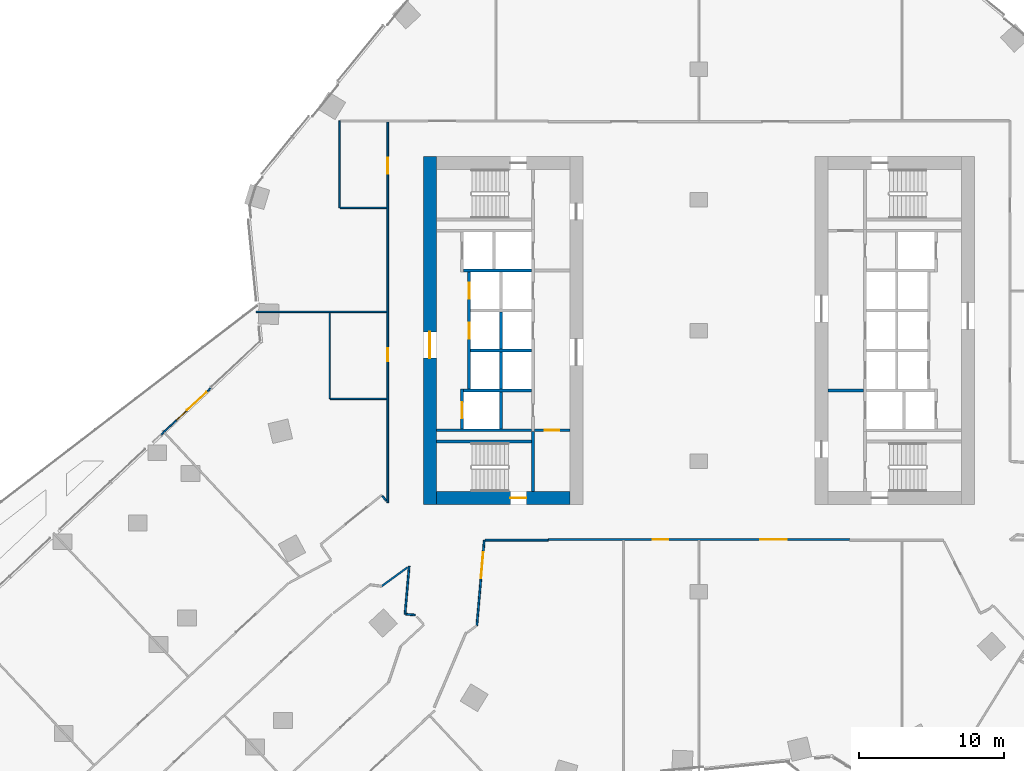
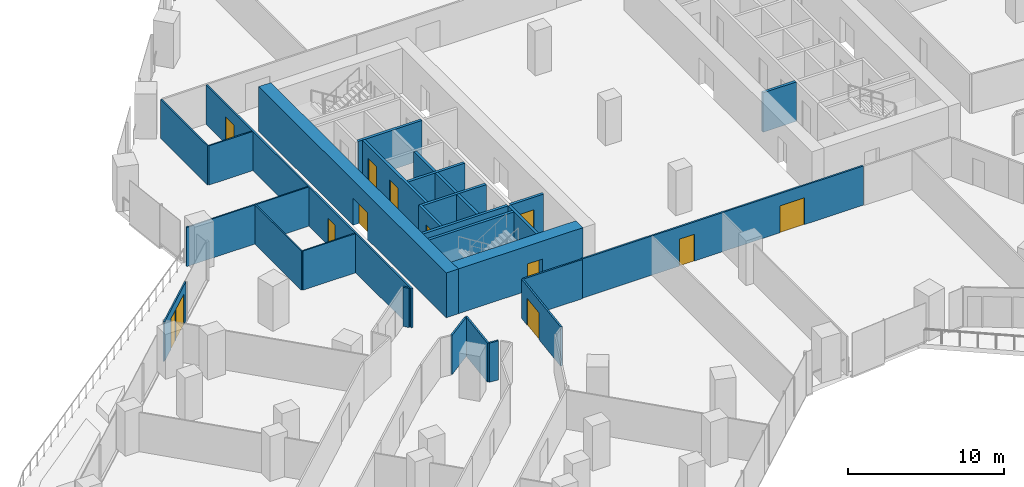
# One storey, part 24 of 34: 29 walls, 12 doors, 1 window, 13 openings.
"""IFC4 building model written with IfcOpenShell, lengths in metres."""

from ifc_helpers import new_model, si_unit, direction, frame, frame_2d, origin, place, context, subcontext, project, spatial, rectangle, extrude, material, layer, layer_set, type_object, element, fill, save


model = new_model("IFC4")

# Units and contexts
model_context = context("Model", 3, precision=1e-05, world=origin(), true_north=direction((0.0, 1.0)))
body_context = subcontext(model_context, "Body", "Model", "MODEL_VIEW")
ifc_project = project(units=[si_unit("LENGTHUNIT", "METRE"), si_unit("AREAUNIT", "SQUARE_METRE"), si_unit("VOLUMEUNIT", "CUBIC_METRE"), si_unit("PLANEANGLEUNIT", "RADIAN"), si_unit("MASSUNIT", "GRAM", prefix="KILO")], contexts=[model_context])

# Site, building, storey
site_placement = place(None, origin())
site = spatial("IfcSite", under=ifc_project, at=site_placement, CompositionType="ELEMENT")
building_placement = place(site_placement, origin())
building = spatial("IfcBuilding", under=site, at=building_placement, Name="Orlundy Tower", CompositionType="ELEMENT")
storey_placement = place(building_placement, frame((0.0, 0.0, 37.300048828125)))
storey = spatial("IfcBuildingStorey", under=building, at=storey_placement, Name="L07", CompositionType="ELEMENT", Elevation=37.300048828125)

# Wall, opening, door
ifc_material_1 = material(Name="Concrete C80/95", Category="concrete")
ifc_layer_1 = layer(ifc_material_1, 0.89990234375)
ifc_layer_set_1 = layer_set([ifc_layer_1], Name="CORE WALL 900 C80/95")
wall_type_1 = type_object("IfcWallType", Name="CORE WALL 900 C80/95", PredefinedType="SHEAR", material=ifc_layer_set_1)
wall_1_placement = place(storey_placement, frame((-18.10009765625, -11.550048828125, 0.0), z_axis=(0.0, 0.0, 1.0), x_axis=(1.0, 0.0, 0.0)))
wall_1 = element("IfcWall", 1, at=wall_1_placement, inside=storey, type_object=wall_type_1, Name="Core wall W-S L07", PredefinedType="SHEAR", context=body_context, shape_type="SweptSolid", body=[
    extrude(rectangle(XDim=9.2001953125, YDim=0.89990234375, at=frame_2d((4.60009765625, 0.0))), origin(), (0.0, 0.0, 1.0), 3.5),
])
opening_1_placement = place(wall_1_placement, frame((5.10009765625, 0.0, 0.0)))
opening_1 = element("IfcOpeningElement", 2, at=opening_1_placement, cuts=wall_1, Name="Opening 08013", PredefinedType="OPENING", context=body_context, shape_type="SweptSolid", body=[
    extrude(rectangle(XDim=1.10009765625, YDim=2.10009765625, at=frame_2d((0.550048828125, 1.050048828125))), frame((0.0, 0.4599609375, 0.0), z_axis=(0.0, -1.0, 0.0), x_axis=(1.0, 0.0, 0.0)), (0.0, 0.0, 1.0), 0.919921875),
])
ifc_material_2 = material(Name="Steel door set", Category="steel")
door_type_1 = type_object("IfcDoorType", Name="Stair Door 1100x2100", OperationType="SINGLE_SWING_LEFT", PredefinedType="DOOR", material=ifc_material_2)
door_1_placement = place(opening_1_placement, origin())
door_1 = element("IfcDoor", 3, at=door_1_placement, inside=storey, type_object=door_type_1, Name="Stair door 08013", OperationType="SINGLE_SWING_RIGHT", OverallHeight=2.10009765625, OverallWidth=1.10009765625, PredefinedType="DOOR", context=body_context, shape_type="SweptSolid", body=[
    extrude(rectangle(XDim=1.10009765625, YDim=2.10009765625, at=frame_2d((0.550048828125, 1.050048828125))), frame((0.0, 0.02490234375, 0.0), z_axis=(0.0, -1.0, 0.0), x_axis=(1.0, 0.0, 0.0)), (0.0, 0.0, 1.0), 0.050048828125),
])
fill(opening_1, door_1)

wall_2_placement = place(storey_placement, frame((-18.550048828125, -12.0, 0.0), z_axis=(0.0, 0.0, 1.0), x_axis=(0.0, 1.0, 0.0)))
wall_2 = element("IfcWall", 4, at=wall_2_placement, inside=storey, type_object=wall_type_1, Name="Core wall W-W L07", PredefinedType="SHEAR", context=body_context, shape_type="SweptSolid", body=[
    extrude(rectangle(XDim=24.0, YDim=0.89990234375, at=frame_2d((12.0, 0.0))), origin(), (0.0, 0.0, 1.0), 3.5),
])
opening_2_placement = place(wall_2_placement, frame((10.10009765625, 0.0, 0.0)))
opening_2 = element("IfcOpeningElement", 5, at=opening_2_placement, cuts=wall_2, Name="Opening 08010", PredefinedType="OPENING", context=body_context, shape_type="SweptSolid", body=[
    extrude(rectangle(XDim=1.800048828125, YDim=2.10009765625, at=frame_2d((0.89990234375, 1.050048828125))), frame((0.0, 0.4599609375, 0.0), z_axis=(0.0, -1.0, 0.0), x_axis=(1.0, 0.0, 0.0)), (0.0, 0.0, 1.0), 0.919921875),
])
ifc_material_3 = material(Name="Timber door set", Category="wood")
door_type_2 = type_object("IfcDoorType", Name="Lobby Door 1800x2100", OperationType="DOUBLE_DOOR_DOUBLE_SWING", PredefinedType="DOOR", material=ifc_material_3)
door_2_placement = place(opening_2_placement, origin())
door_2 = element("IfcDoor", 6, at=door_2_placement, inside=storey, type_object=door_type_2, Name="Lift lobby door 08010", OperationType="SINGLE_SWING_LEFT", OverallHeight=2.10009765625, OverallWidth=1.800048828125, PredefinedType="DOOR", context=body_context, shape_type="SweptSolid", body=[
    extrude(rectangle(XDim=1.800048828125, YDim=2.10009765625, at=frame_2d((0.89990234375, 1.050048828125))), frame((0.0, 0.02490234375, 0.0), z_axis=(0.0, -1.0, 0.0), x_axis=(1.0, 0.0, 0.0)), (0.0, 0.0, 1.0), 0.050048828125),
])
fill(opening_2, door_2)

# Walls
ifc_material_4 = material(Name="Gypsum board partition")
ifc_layer_2 = layer(ifc_material_4, 0.10009765625)
ifc_layer_set_2 = layer_set([ifc_layer_2], Name="Floor partition 100")
wall_type_2 = type_object("IfcWallType", Name="Floor partition 100", PredefinedType="PARTITIONING", material=ifc_layer_set_2)
wall_3_placement = place(storey_placement, frame((-25.39794921875, -4.708984375, 0.0), z_axis=(0.0, 0.0, 1.0), x_axis=(1.0, 0.0, 0.0)))
element("IfcWall", 7, at=wall_3_placement, inside=storey, type_object=wall_type_2, Name="wall-int-L07-056", PredefinedType="PARTITIONING", context=body_context, shape_type="SweptSolid", body=[
    extrude(rectangle(XDim=3.885986328125, YDim=0.10009765625, at=frame_2d((1.94287109375, 0.0))), origin(), (0.0, 0.0, 1.0), 3.06005859375),
])
wall_4_placement = place(storey_placement, frame((-30.527099609375, 1.2900390625, 0.0), z_axis=(0.0, 0.0, 1.0), x_axis=(1.0, 0.0, 0.0)))
element("IfcWall", 8, at=wall_4_placement, inside=storey, type_object=wall_type_2, Name="wall-int-L07-057", PredefinedType="PARTITIONING", context=body_context, shape_type="SweptSolid", body=[
    extrude(rectangle(XDim=9.01513671875, YDim=0.10009765625, at=frame_2d((4.507568359375, 0.0))), origin(), (0.0, 0.0, 1.0), 3.06005859375),
])
wall_5_placement = place(storey_placement, frame((-24.73193359375, 8.448974609375, 0.0), z_axis=(0.0, 0.0, 1.0), x_axis=(1.0, 0.0, 0.0)))
element("IfcWall", 9, at=wall_5_placement, inside=storey, type_object=wall_type_2, Name="wall-int-L07-059", PredefinedType="PARTITIONING", context=body_context, shape_type="SweptSolid", body=[
    extrude(rectangle(XDim=3.219970703125, YDim=0.10009765625, at=frame_2d((1.60986328125, 0.0))), origin(), (0.0, 0.0, 1.0), 3.06005859375),
])
wall_6_placement = place(storey_placement, frame((-24.781982421875, 8.448974609375, 0.0), z_axis=(0.0, 0.0, 1.0), x_axis=(0.0, 1.0, 0.0)))
element("IfcWall", 10, at=wall_6_placement, inside=storey, type_object=wall_type_2, Name="wall-int-L07-122", PredefinedType="PARTITIONING", context=body_context, shape_type="SweptSolid", body=[
    extrude(rectangle(XDim=6.0, YDim=0.10009765625, at=frame_2d((3.0, 0.0))), origin(), (0.0, 0.0, 1.0), 3.06005859375),
])
wall_7_placement = place(storey_placement, frame((-25.447998046875, -4.708984375, 0.0), z_axis=(0.0, 0.0, 1.0), x_axis=(0.0, 1.0, 0.0)))
element("IfcWall", 11, at=wall_7_placement, inside=storey, type_object=wall_type_2, Name="wall-int-L07-123", PredefinedType="PARTITIONING", context=body_context, shape_type="SweptSolid", body=[
    extrude(rectangle(XDim=5.948974609375, YDim=0.10009765625, at=frame_2d((2.974609375, 0.0))), origin(), (0.0, 0.0, 1.0), 3.06005859375),
])
ifc_material_5 = material(Name="Gypsum board partition, double layer")
ifc_layer_3 = layer(ifc_material_5, 0.125)
ifc_layer_set_3 = layer_set([ifc_layer_3], Name="Floor partition 125")
wall_type_3 = type_object("IfcWallType", Name="Floor partition 125", PredefinedType="PARTITIONING", material=ifc_layer_set_3)
wall_8_placement = place(storey_placement, frame((-21.827880859375, -11.40087890625, 0.0), z_axis=(0.0, 0.0, 1.0), x_axis=(0.628685146217, -0.777659942987, 0.0)))
element("IfcWall", 12, at=wall_8_placement, inside=storey, type_object=wall_type_3, Name="wall-int-L07-008", PredefinedType="PARTITIONING", context=body_context, shape_type="SweptSolid", body=[
    extrude(rectangle(XDim=0.424560546875, YDim=0.125, at=frame_2d((0.21240234375, 0.0))), origin(), (0.0, 0.0, 1.0), 3.06005859375),
])
wall_9_placement = place(storey_placement, frame((-20.197021484375, -19.556884765625, 0.0), z_axis=(0.0, 0.0, 1.0), x_axis=(0.99624633496, -0.086563503153, 0.0)))
element("IfcWall", 13, at=wall_9_placement, inside=storey, type_object=wall_type_3, Name="wall-int-L07-040", PredefinedType="PARTITIONING", context=body_context, shape_type="SweptSolid", body=[
    extrude(rectangle(XDim=0.637451171875, YDim=0.125, at=frame_2d((0.31884765625, 0.0))), origin(), (0.0, 0.0, 1.0), 3.06005859375),
])
wall_10_placement = place(storey_placement, frame((-14.736083984375, -14.450927734375, 0.0), z_axis=(0.0, 0.0, 1.0), x_axis=(1.0, 0.0, 0.0)))
element("IfcWall", 14, at=wall_10_placement, inside=storey, type_object=wall_type_3, Name="wall-int-L07-051", PredefinedType="PARTITIONING", context=body_context, shape_type="SweptSolid", body=[
    extrude(rectangle(XDim=4.344970703125, YDim=0.125, at=frame_2d((2.17236328125, 0.0))), origin(), (0.0, 0.0, 1.0), 3.06005859375),
])

# Wall, openings, doors
wall_11_placement = place(storey_placement, frame((10.39111328125, -14.40087890625, 0.0), z_axis=(0.0, 0.0, 1.0), x_axis=(-1.0, 0.0, 0.0)))
wall_11 = element("IfcWall", 15, at=wall_11_placement, inside=storey, type_object=wall_type_3, Name="wall-int-L07-054", PredefinedType="PARTITIONING", context=body_context, shape_type="SweptSolid", body=[
    extrude(rectangle(XDim=20.781005859375, YDim=0.125, at=frame_2d((10.390625, 0.0))), origin(), (0.0, 0.0, 1.0), 3.06005859375),
])
opening_3_placement = place(wall_11_placement, frame((12.490966796875, 0.0, 0.0)))
opening_3 = element("IfcOpeningElement", 16, at=opening_3_placement, cuts=wall_11, Name="Opening 08124", PredefinedType="OPENING", context=body_context, shape_type="SweptSolid", body=[
    extrude(rectangle(XDim=1.10009765625, YDim=2.10009765625, at=frame_2d((0.550048828125, 1.050048828125))), frame((0.0, 0.072509765625, 0.0), z_axis=(0.0, -1.0, 0.0), x_axis=(1.0, 0.0, 0.0)), (0.0, 0.0, 1.0), 0.14501953125),
])
opening_4_placement = place(wall_11_placement, frame((4.35009765625, 0.0, 0.0)))
opening_4 = element("IfcOpeningElement", 17, at=opening_4_placement, cuts=wall_11, Name="Opening 08125", PredefinedType="OPENING", context=body_context, shape_type="SweptSolid", body=[
    extrude(rectangle(XDim=1.800048828125, YDim=2.10009765625, at=frame_2d((0.89990234375, 1.050048828125))), frame((0.0, 0.072509765625, 0.0), z_axis=(0.0, -1.0, 0.0), x_axis=(1.0, 0.0, 0.0)), (0.0, 0.0, 1.0), 0.14501953125),
])
ifc_material_6 = material(Name="Timber door leaf", Category="wood")
door_type_3 = type_object("IfcDoorType", Name="Floor door double 1800 FD30S", OperationType="NOTDEFINED", PredefinedType="DOOR", material=ifc_material_6)
door_3_placement = place(opening_4_placement, origin())
door_3 = element("IfcDoor", 18, at=door_3_placement, inside=storey, type_object=door_type_3, Name="Door 08125", OperationType="DOUBLE_DOOR_SINGLE_SWING", OverallHeight=2.10009765625, OverallWidth=1.800048828125, PredefinedType="DOOR", context=body_context, shape_type="SweptSolid", body=[
    extrude(rectangle(XDim=1.800048828125, YDim=2.10009765625, at=frame_2d((0.89990234375, 1.050048828125))), frame((0.0, 0.02490234375, 0.0), z_axis=(0.0, -1.0, 0.0), x_axis=(1.0, 0.0, 0.0)), (0.0, 0.0, 1.0), 0.050048828125),
])
fill(opening_4, door_3)
ifc_material_7 = material(Name="Timber door leaf", Category="wood")
door_type_4 = type_object("IfcDoorType", Name="Floor door xwide 1100 FD30S", OperationType="NOTDEFINED", PredefinedType="DOOR", material=ifc_material_7)
door_4_placement = place(opening_3_placement, origin())
door_4 = element("IfcDoor", 19, at=door_4_placement, inside=storey, type_object=door_type_4, Name="Door 08124", OperationType="SINGLE_SWING_RIGHT", OverallHeight=2.10009765625, OverallWidth=1.10009765625, PredefinedType="DOOR", context=body_context, shape_type="SweptSolid", body=[
    extrude(rectangle(XDim=1.10009765625, YDim=2.10009765625, at=frame_2d((0.550048828125, 1.050048828125))), frame((0.0, 0.02490234375, 0.0), z_axis=(0.0, -1.0, 0.0), x_axis=(1.0, 0.0, 0.0)), (0.0, 0.0, 1.0), 0.050048828125),
])
fill(opening_3, door_4)

# Wall
wall_12_placement = place(storey_placement, frame((-20.0849609375, -16.325927734375, 0.0), z_axis=(0.0, 0.0, 1.0), x_axis=(-0.80897376901, -0.587844742304, 0.0)))
element("IfcWall", 20, at=wall_12_placement, inside=storey, type_object=wall_type_3, Name="wall-int-L07-069", PredefinedType="PARTITIONING", context=body_context, shape_type="SweptSolid", body=[
    extrude(rectangle(XDim=2.22021484375, YDim=0.125, at=frame_2d((1.110107421875, 0.0))), origin(), (0.0, 0.0, 1.0), 3.06005859375),
])

# Wall, opening, door
wall_13_placement = place(storey_placement, frame((-14.798095703125, -14.450927734375, 0.0), z_axis=(0.0, 0.0, 1.0), x_axis=(-0.086395823817, -0.996260890343, 0.0)))
wall_13 = element("IfcWall", 21, at=wall_13_placement, inside=storey, type_object=wall_type_3, Name="wall-int-L07-104", PredefinedType="PARTITIONING", context=body_context, shape_type="SweptSolid", body=[
    extrude(rectangle(XDim=5.903076171875, YDim=0.125, at=frame_2d((2.95166015625, 0.0))), origin(), (0.0, 0.0, 1.0), 3.06005859375),
])
opening_5_placement = place(wall_13_placement, frame((0.849609375, 0.0, 0.0)))
opening_5 = element("IfcOpeningElement", 22, at=opening_5_placement, cuts=wall_13, Name="Opening 08123", PredefinedType="OPENING", context=body_context, shape_type="SweptSolid", body=[
    extrude(rectangle(XDim=1.800048828125, YDim=2.10009765625, at=frame_2d((0.89990234375, 1.050048828125))), frame((0.0, 0.072509765625, 0.0), z_axis=(0.0, -1.0, 0.0), x_axis=(1.0, 0.0, 0.0)), (0.0, 0.0, 1.0), 0.14501953125),
])
door_5_placement = place(opening_5_placement, origin())
door_5 = element("IfcDoor", 23, at=door_5_placement, inside=storey, type_object=door_type_3, Name="Door 08123", OperationType="DOUBLE_DOOR_SINGLE_SWING", OverallHeight=2.10009765625, OverallWidth=1.800048828125, PredefinedType="DOOR", context=body_context, shape_type="SweptSolid", body=[
    extrude(rectangle(XDim=1.800048828125, YDim=2.10009765625, at=frame_2d((0.89990234375, 1.050048828125))), frame((0.0, 0.02490234375, 0.0), z_axis=(0.0, -1.0, 0.0), x_axis=(1.0, 0.0, 0.0)), (0.0, 0.0, 1.0), 0.050048828125),
])
fill(opening_5, door_5)

# Wall
wall_14_placement = place(storey_placement, frame((-20.260009765625, -19.551025390625, 0.0), z_axis=(0.0, 0.0, 1.0), x_axis=(0.086384498526, 0.996261872408, 0.0)))
element("IfcWall", 24, at=wall_14_placement, inside=storey, type_object=wall_type_3, Name="wall-int-L07-105", PredefinedType="PARTITIONING", context=body_context, shape_type="SweptSolid", body=[
    extrude(rectangle(XDim=3.3095703125, YDim=0.125, at=frame_2d((1.65478515625, 0.0))), origin(), (0.0, 0.0, 1.0), 3.06005859375),
])

# Wall, openings, doors
wall_15_placement = place(storey_placement, frame((-21.449951171875, -11.868896484375, 0.0), z_axis=(0.0, 0.0, 1.0), x_axis=(0.0, 1.0, 0.0)))
wall_15 = element("IfcWall", 25, at=wall_15_placement, inside=storey, type_object=wall_type_3, Name="wall-int-L07-121", PredefinedType="PARTITIONING", context=body_context, shape_type="SweptSolid", body=[
    extrude(rectangle(XDim=26.2548828125, YDim=0.125, at=frame_2d((13.12744140625, 0.0))), origin(), (0.0, 0.0, 1.0), 3.06005859375),
])
opening_6_placement = place(wall_15_placement, frame((9.760009765625, 0.0, 0.0)))
opening_6 = element("IfcOpeningElement", 26, at=opening_6_placement, cuts=wall_15, Name="Opening 08132", PredefinedType="OPENING", context=body_context, shape_type="SweptSolid", body=[
    extrude(rectangle(XDim=0.89990234375, YDim=2.10009765625, at=frame_2d((0.449951171875, 1.050048828125))), frame((0.0, 0.072509765625, 0.0), z_axis=(0.0, -1.0, 0.0), x_axis=(1.0, 0.0, 0.0)), (0.0, 0.0, 1.0), 0.14501953125),
])
opening_7_placement = place(wall_15_placement, frame((22.66796875, 0.0, 0.0)))
opening_7 = element("IfcOpeningElement", 27, at=opening_7_placement, cuts=wall_15, Name="Opening 08133", PredefinedType="OPENING", context=body_context, shape_type="SweptSolid", body=[
    extrude(rectangle(XDim=1.10009765625, YDim=2.10009765625, at=frame_2d((0.550048828125, 1.050048828125))), frame((0.0, 0.072509765625, 0.0), z_axis=(0.0, -1.0, 0.0), x_axis=(1.0, 0.0, 0.0)), (0.0, 0.0, 1.0), 0.14501953125),
])
ifc_material_8 = material(Name="Timber door leaf", Category="wood")
door_type_5 = type_object("IfcDoorType", Name="Floor door single 900 FD30S", OperationType="NOTDEFINED", PredefinedType="DOOR", material=ifc_material_8)
door_6_placement = place(opening_6_placement, origin())
door_6 = element("IfcDoor", 28, at=door_6_placement, inside=storey, type_object=door_type_5, Name="Door 08132", OperationType="SINGLE_SWING_LEFT", OverallHeight=2.10009765625, OverallWidth=0.89990234375, PredefinedType="DOOR", context=body_context, shape_type="SweptSolid", body=[
    extrude(rectangle(XDim=0.89990234375, YDim=2.10009765625, at=frame_2d((0.449951171875, 1.050048828125))), frame((0.0, 0.02490234375, 0.0), z_axis=(0.0, -1.0, 0.0), x_axis=(1.0, 0.0, 0.0)), (0.0, 0.0, 1.0), 0.050048828125),
])
fill(opening_6, door_6)
door_7_placement = place(opening_7_placement, origin())
door_7 = element("IfcDoor", 29, at=door_7_placement, inside=storey, type_object=door_type_4, Name="Door 08133", OperationType="SINGLE_SWING_RIGHT", OverallHeight=2.10009765625, OverallWidth=1.10009765625, PredefinedType="DOOR", context=body_context, shape_type="SweptSolid", body=[
    extrude(rectangle(XDim=1.10009765625, YDim=2.10009765625, at=frame_2d((0.550048828125, 1.050048828125))), frame((0.0, 0.02490234375, 0.0), z_axis=(0.0, -1.0, 0.0), x_axis=(1.0, 0.0, 0.0)), (0.0, 0.0, 1.0), 0.050048828125),
])
fill(opening_7, door_7)

# Wall, openings, window, door
ifc_material_9 = material(Name="Aluminium bronze and tinted glass", Category="aluminium")
ifc_layer_4 = layer(ifc_material_9, 0.10009765625)
ifc_layer_set_4 = layer_set([ifc_layer_4], Name="Glazed door screen")
wall_type_4 = type_object("IfcWallType", Name="Glazed door screen", PredefinedType="STANDARD", material=ifc_layer_set_4)
wall_16_placement = place(storey_placement, frame((-37.077392578125, -7.177734375, 0.0), z_axis=(0.0, 0.0, 1.0), x_axis=(0.729367283299, 0.684122332667, 0.0)))
wall_16 = element("IfcWall", 30, at=wall_16_placement, inside=storey, type_object=wall_type_4, Name="Glazed door screen", PredefinedType="STANDARD", context=body_context, shape_type="SweptSolid", body=[
    extrude(rectangle(XDim=4.705322265625, YDim=0.10009765625, at=frame_2d((2.3525390625, 0.0))), origin(), (0.0, 0.0, 1.0), 3.079833984375),
])
opening_8_placement = place(wall_16_placement, frame((2.4716796875, 0.0, 0.0)))
opening_8 = element("IfcOpeningElement", 31, at=opening_8_placement, cuts=wall_16, Name="Opening 08940", PredefinedType="OPENING", context=body_context, shape_type="SweptSolid", body=[
    extrude(rectangle(XDim=1.800048828125, YDim=2.39990234375, at=frame_2d((0.89990234375, 1.199951171875))), frame((0.0, 0.06005859375, 0.0), z_axis=(0.0, -1.0, 0.0), x_axis=(1.0, 0.0, 0.0)), (0.0, 0.0, 1.0), 0.1201171875),
])
opening_9_placement = place(wall_16_placement, frame((1.4716796875, 0.0, 0.0)))
opening_9 = element("IfcOpeningElement", 32, at=opening_9_placement, cuts=wall_16, Name="Opening W02", PredefinedType="OPENING", context=body_context, shape_type="SweptSolid", body=[
    extrude(rectangle(XDim=0.89990234375, YDim=2.39990234375, at=frame_2d((0.449951171875, 1.199951171875))), frame((0.0, 0.06005859375, 0.0), z_axis=(0.0, -1.0, 0.0), x_axis=(1.0, 0.0, 0.0)), (0.0, 0.0, 1.0), 0.1201171875),
])
ifc_material_10 = material(Name="Tinted glass in bronze aluminium frame", Category="aluminium")
window_type = type_object("IfcWindowType", Name="SL2 sidelight 900x2400", PartitioningType="SINGLE_PANEL", PredefinedType="WINDOW", material=ifc_material_10)
window_placement = place(opening_9_placement, origin())
window = element("IfcWindow", 33, at=window_placement, inside=storey, type_object=window_type, Name="Window W02 L07", OverallHeight=2.39990234375, OverallWidth=0.89990234375, PartitioningType="SINGLE_PANEL", PredefinedType="WINDOW", context=body_context, shape_type="SweptSolid", body=[
    extrude(rectangle(XDim=0.89990234375, YDim=2.39990234375, at=frame_2d((0.449951171875, 1.199951171875))), frame((0.0, 0.030029296875, 0.0), z_axis=(0.0, -1.0, 0.0), x_axis=(1.0, 0.0, 0.0)), (0.0, 0.0, 1.0), 0.06005859375),
])
fill(opening_9, window)
ifc_material_11 = material(Name="Aluminium bronze and tinted glass", Category="aluminium")
door_type_6 = type_object("IfcDoorType", Name="TD1 terrace door 1800x2400", OperationType="NOTDEFINED", PredefinedType="DOOR", material=ifc_material_11)
door_8_placement = place(opening_8_placement, origin())
door_8 = element("IfcDoor", 34, at=door_8_placement, inside=storey, type_object=door_type_6, Name="Door 08940", OperationType="DOUBLE_DOOR_SINGLE_SWING", OverallHeight=2.39990234375, OverallWidth=1.800048828125, PredefinedType="DOOR", context=body_context, shape_type="SweptSolid", body=[
    extrude(rectangle(XDim=1.800048828125, YDim=2.39990234375, at=frame_2d((0.89990234375, 1.199951171875))), frame((0.0, 0.02490234375, 0.0), z_axis=(0.0, -1.0, 0.0), x_axis=(1.0, 0.0, 0.0)), (0.0, 0.0, 1.0), 0.050048828125),
])
fill(opening_8, door_8)

# Walls
ifc_material_12 = material(Name="Concrete C40/50", Category="concrete")
ifc_layer_5 = layer(ifc_material_12, 0.199951171875)
ifc_layer_set_5 = layer_set([ifc_layer_5], Name="Load-bearing Shaft Wall 200")
wall_type_5 = type_object("IfcWallType", Name="Load-bearing Shaft Wall 200", PredefinedType="SOLIDWALL", material=ifc_layer_set_5)
wall_17_placement = place(storey_placement, frame((-11.43994140625, -11.10009765625, 0.0), z_axis=(0.0, 0.0, 1.0), x_axis=(0.0, 1.0, 0.0)))
element("IfcWall", 35, at=wall_17_placement, inside=storey, type_object=wall_type_5, Name="Shaft wall W08-stair-end-s", PredefinedType="SOLIDWALL", context=body_context, shape_type="SweptSolid", body=[
    extrude(rectangle(XDim=4.125, YDim=0.199951171875, at=frame_2d((2.0625, 0.0))), origin(), (0.0, 0.0, 1.0), 3.079833984375),
])
wall_18_placement = place(storey_placement, frame((-11.5400390625, -7.64990234375, 0.0), z_axis=(0.0, 0.0, 1.0), x_axis=(-1.0, 0.0, 0.0)))
element("IfcWall", 36, at=wall_18_placement, inside=storey, type_object=wall_type_5, Name="Shaft wall W08-stair-side-s", PredefinedType="SOLIDWALL", context=body_context, shape_type="SweptSolid", body=[
    extrude(rectangle(XDim=6.56005859375, YDim=0.199951171875, at=frame_2d((3.280029296875, 0.0))), origin(), (0.0, 0.0, 1.0), 3.079833984375),
])

# Wall, opening, door
ifc_material_13 = material(Name="Gypsum board partition on steel studs", Category="steel")
ifc_layer_6 = layer(ifc_material_13, 0.199951171875)
ifc_layer_set_6 = layer_set([ifc_layer_6], Name="Partition 200")
wall_type_6 = type_object("IfcWallType", Name="Partition 200", PredefinedType="PARTITIONING", material=ifc_layer_set_6)
wall_19_placement = place(storey_placement, frame((-8.89990234375, -6.875, 0.0), z_axis=(0.0, 0.0, 1.0), x_axis=(-1.0, 0.0, 0.0)))
wall_19 = element("IfcWall", 37, at=wall_19_placement, inside=storey, type_object=wall_type_6, Name="Partition wall W08-end-s", PredefinedType="PARTITIONING", context=body_context, shape_type="SweptSolid", body=[
    extrude(rectangle(XDim=2.440185546875, YDim=0.199951171875, at=frame_2d((1.22021484375, 0.0))), origin(), (0.0, 0.0, 1.0), 3.079833984375),
])
opening_10_placement = place(wall_19_placement, frame((0.719970703125, 0.0, 0.0)))
opening_10 = element("IfcOpeningElement", 38, at=opening_10_placement, cuts=wall_19, Name="Opening 08015", PredefinedType="OPENING", context=body_context, shape_type="SweptSolid", body=[
    extrude(rectangle(XDim=1.0, YDim=2.10009765625, at=frame_2d((0.5, 1.050048828125))), frame((0.0, 0.110107421875, 0.0), z_axis=(0.0, -1.0, 0.0), x_axis=(1.0, 0.0, 0.0)), (0.0, 0.0, 1.0), 0.22021484375),
])
ifc_material_14 = material(Name="Timber door set", Category="wood")
door_type_7 = type_object("IfcDoorType", Name="Accessible Door 1000x2100", OperationType="SINGLE_SWING_LEFT", PredefinedType="DOOR", material=ifc_material_14)
door_9_placement = place(opening_10_placement, origin())
door_9 = element("IfcDoor", 39, at=door_9_placement, inside=storey, type_object=door_type_7, Name="Accessible WC door 08015", OperationType="SINGLE_SWING_RIGHT", OverallHeight=2.10009765625, OverallWidth=1.0, PredefinedType="DOOR", context=body_context, shape_type="SweptSolid", body=[
    extrude(rectangle(XDim=1.0, YDim=2.10009765625, at=frame_2d((0.5, 1.050048828125))), frame((0.0, 0.02490234375, 0.0), z_axis=(0.0, -1.0, 0.0), x_axis=(1.0, 0.0, 0.0)), (0.0, 0.0, 1.0), 0.050048828125),
])
fill(opening_10, door_9)

# Walls
wall_20_placement = place(storey_placement, frame((8.89990234375, -4.125, 0.0), z_axis=(0.0, 0.0, 1.0), x_axis=(1.0, 0.0, 0.0)))
element("IfcWall", 40, at=wall_20_placement, inside=storey, type_object=wall_type_6, Name="Partition wall E08-lobby-n", PredefinedType="PARTITIONING", context=body_context, shape_type="SweptSolid", body=[
    extrude(rectangle(XDim=2.440185546875, YDim=0.199951171875, at=frame_2d((1.22021484375, 0.0))), origin(), (0.0, 0.0, 1.0), 3.079833984375),
])
ifc_material_15 = material(Name="Fire-rated blockwork shaft wall", Category="masonry")
ifc_layer_7 = layer(ifc_material_15, 0.199951171875)
ifc_layer_set_7 = layer_set([ifc_layer_7], Name="Shaft Wall 200")
wall_type_7 = type_object("IfcWallType", Name="Shaft Wall 200", PredefinedType="SOLIDWALL", material=ifc_layer_set_7)
wall_21_placement = place(storey_placement, frame((-11.5400390625, -6.875, 0.0), z_axis=(0.0, 0.0, 1.0), x_axis=(-1.0, 0.0, 0.0)))
element("IfcWall", 41, at=wall_21_placement, inside=storey, type_object=wall_type_7, Name="Shaft wall W08-zone-s", PredefinedType="SOLIDWALL", context=body_context, shape_type="SweptSolid", body=[
    extrude(rectangle(XDim=6.56005859375, YDim=0.199951171875, at=frame_2d((3.280029296875, 0.0))), origin(), (0.0, 0.0, 1.0), 3.079833984375),
])
wall_22_placement = place(storey_placement, frame((-11.5400390625, -4.125, 0.0), z_axis=(0.0, 0.0, 1.0), x_axis=(-1.0, 0.0, 0.0)))
element("IfcWall", 42, at=wall_22_placement, inside=storey, type_object=wall_type_7, Name="Shaft wall W08-cross-4.125", PredefinedType="SOLIDWALL", context=body_context, shape_type="SweptSolid", body=[
    extrude(rectangle(XDim=4.699951171875, YDim=0.199951171875, at=frame_2d((2.35009765625, 0.0))), origin(), (0.0, 0.0, 1.0), 3.079833984375),
])
wall_23_placement = place(storey_placement, frame((-11.5400390625, -1.375, 0.0), z_axis=(0.0, 0.0, 1.0), x_axis=(-1.0, 0.0, 0.0)))
element("IfcWall", 43, at=wall_23_placement, inside=storey, type_object=wall_type_7, Name="Shaft wall W08-cross-1.375", PredefinedType="SOLIDWALL", context=body_context, shape_type="SweptSolid", body=[
    extrude(rectangle(XDim=4.199951171875, YDim=0.199951171875, at=frame_2d((2.10009765625, 0.0))), origin(), (0.0, 0.0, 1.0), 3.079833984375),
])
wall_24_placement = place(storey_placement, frame((-11.5400390625, 4.125, 0.0), z_axis=(0.0, 0.0, 1.0), x_axis=(-1.0, 0.0, 0.0)))
element("IfcWall", 44, at=wall_24_placement, inside=storey, type_object=wall_type_7, Name="Shaft wall W08-cross+4.125", PredefinedType="SOLIDWALL", context=body_context, shape_type="SweptSolid", body=[
    extrude(rectangle(XDim=4.699951171875, YDim=0.199951171875, at=frame_2d((2.35009765625, 0.0))), origin(), (0.0, 0.0, 1.0), 3.079833984375),
])
for number, where, z_axis, x_axis, name in (
    (45, (-13.639892578125, -6.77490234375, 0.0), (0.0, 0.0, 1.0), (0.0, 1.0, 0.0), "Shaft wall W08-mid-a"),
    (46, (-13.639892578125, -4.02490234375, 0.0), (0.0, 0.0, 1.0), (0.0, 1.0, 0.0), "Shaft wall W08-mid-a.1"),
    (47, (-13.639892578125, -1.27490234375, 0.0), (0.0, 0.0, 1.0), (0.0, 1.0, 0.0), "Shaft wall W08-mid-a.2"),
):
    element("IfcWall", number, at=place(storey_placement, frame(where, z_axis=z_axis, x_axis=x_axis)), inside=storey, type_object=wall_type_7, Name=name, PredefinedType="SOLIDWALL", context=body_context, shape_type="SweptSolid", body=[
        extrude(rectangle(XDim=2.5498046875, YDim=0.199951171875, at=frame_2d((1.27490234375, 0.0))), origin(), (0.0, 0.0, 1.0), 3.079833984375),
    ])

# Wall, opening, door
wall_25_placement = place(storey_placement, frame((-16.340087890625, -6.77490234375, 0.0), z_axis=(0.0, 0.0, 1.0), x_axis=(0.0, 1.0, 0.0)))
wall_25 = element("IfcWall", 48, at=wall_25_placement, inside=storey, type_object=wall_type_7, Name="Shaft wall W08-front-o-a", PredefinedType="SOLIDWALL", context=body_context, shape_type="SweptSolid", body=[
    extrude(rectangle(XDim=2.75, YDim=0.199951171875, at=frame_2d((1.375, 0.0))), origin(), (0.0, 0.0, 1.0), 3.079833984375),
])
opening_11_placement = place(wall_25_placement, frame((0.72509765625, 0.0, 0.0)))
opening_11 = element("IfcOpeningElement", 49, at=opening_11_placement, cuts=wall_25, Name="Opening 08001", PredefinedType="OPENING", context=body_context, shape_type="SweptSolid", body=[
    extrude(rectangle(XDim=1.10009765625, YDim=2.10009765625, at=frame_2d((0.550048828125, 1.050048828125))), frame((0.0, 0.110107421875, 0.0), z_axis=(0.0, -1.0, 0.0), x_axis=(1.0, 0.0, 0.0)), (0.0, 0.0, 1.0), 0.22021484375),
])
ifc_material_16 = material(Name="Steel door set", Category="steel")
door_type_8 = type_object("IfcDoorType", Name="Landing Door 1100x2100", OperationType="DOUBLE_DOOR_SLIDING", PredefinedType="DOOR", material=ifc_material_16)
door_10_placement = place(opening_11_placement, origin())
door_10 = element("IfcDoor", 50, at=door_10_placement, inside=storey, type_object=door_type_8, Name="Lift landing door LV-01 08001", OperationType="DOUBLE_DOOR_SLIDING", OverallHeight=2.10009765625, OverallWidth=1.10009765625, PredefinedType="DOOR", context=body_context, shape_type="SweptSolid", body=[
    extrude(rectangle(XDim=1.10009765625, YDim=2.10009765625, at=frame_2d((0.550048828125, 1.050048828125))), frame((0.0, 0.02490234375, 0.0), z_axis=(0.0, -1.0, 0.0), x_axis=(1.0, 0.0, 0.0)), (0.0, 0.0, 1.0), 0.050048828125),
])
fill(opening_11, door_10)

# Wall, openings, doors
wall_26_placement = place(storey_placement, frame((-15.840087890625, -4.02490234375, 0.0), z_axis=(0.0, 0.0, 1.0), x_axis=(0.0, 1.0, 0.0)))
wall_26 = element("IfcWall", 51, at=wall_26_placement, inside=storey, type_object=wall_type_7, Name="Shaft wall W08-front-o-b", PredefinedType="SOLIDWALL", context=body_context, shape_type="SweptSolid", body=[
    extrude(rectangle(XDim=8.0498046875, YDim=0.199951171875, at=frame_2d((4.02490234375, 0.0))), origin(), (0.0, 0.0, 1.0), 3.079833984375),
])
opening_12_placement = place(wall_26_placement, frame((3.47509765625, 0.0, 0.0)))
opening_12 = element("IfcOpeningElement", 52, at=opening_12_placement, cuts=wall_26, Name="Opening 08003", PredefinedType="OPENING", context=body_context, shape_type="SweptSolid", body=[
    extrude(rectangle(XDim=1.10009765625, YDim=2.10009765625, at=frame_2d((0.550048828125, 1.050048828125))), frame((0.0, 0.110107421875, 0.0), z_axis=(0.0, -1.0, 0.0), x_axis=(1.0, 0.0, 0.0)), (0.0, 0.0, 1.0), 0.22021484375),
])
opening_13_placement = place(wall_26_placement, frame((6.22509765625, 0.0, 0.0)))
opening_13 = element("IfcOpeningElement", 53, at=opening_13_placement, cuts=wall_26, Name="Opening 08005", PredefinedType="OPENING", context=body_context, shape_type="SweptSolid", body=[
    extrude(rectangle(XDim=1.10009765625, YDim=2.10009765625, at=frame_2d((0.550048828125, 1.050048828125))), frame((0.0, 0.110107421875, 0.0), z_axis=(0.0, -1.0, 0.0), x_axis=(1.0, 0.0, 0.0)), (0.0, 0.0, 1.0), 0.22021484375),
])
door_11_placement = place(opening_12_placement, origin())
door_11 = element("IfcDoor", 54, at=door_11_placement, inside=storey, type_object=door_type_8, Name="Lift landing door LP-01 08003", OperationType="DOUBLE_DOOR_SLIDING", OverallHeight=2.10009765625, OverallWidth=1.10009765625, PredefinedType="DOOR", context=body_context, shape_type="SweptSolid", body=[
    extrude(rectangle(XDim=1.10009765625, YDim=2.10009765625, at=frame_2d((0.550048828125, 1.050048828125))), frame((0.0, 0.02490234375, 0.0), z_axis=(0.0, -1.0, 0.0), x_axis=(1.0, 0.0, 0.0)), (0.0, 0.0, 1.0), 0.050048828125),
])
fill(opening_12, door_11)
door_12_placement = place(opening_13_placement, origin())
door_12 = element("IfcDoor", 55, at=door_12_placement, inside=storey, type_object=door_type_8, Name="Lift landing door LP-03 08005", OperationType="DOUBLE_DOOR_SLIDING", OverallHeight=2.10009765625, OverallWidth=1.10009765625, PredefinedType="DOOR", context=body_context, shape_type="SweptSolid", body=[
    extrude(rectangle(XDim=1.10009765625, YDim=2.10009765625, at=frame_2d((0.550048828125, 1.050048828125))), frame((0.0, 0.02490234375, 0.0), z_axis=(0.0, -1.0, 0.0), x_axis=(1.0, 0.0, 0.0)), (0.0, 0.0, 1.0), 0.050048828125),
])
fill(opening_13, door_12)

save(model, "model.ifc")
